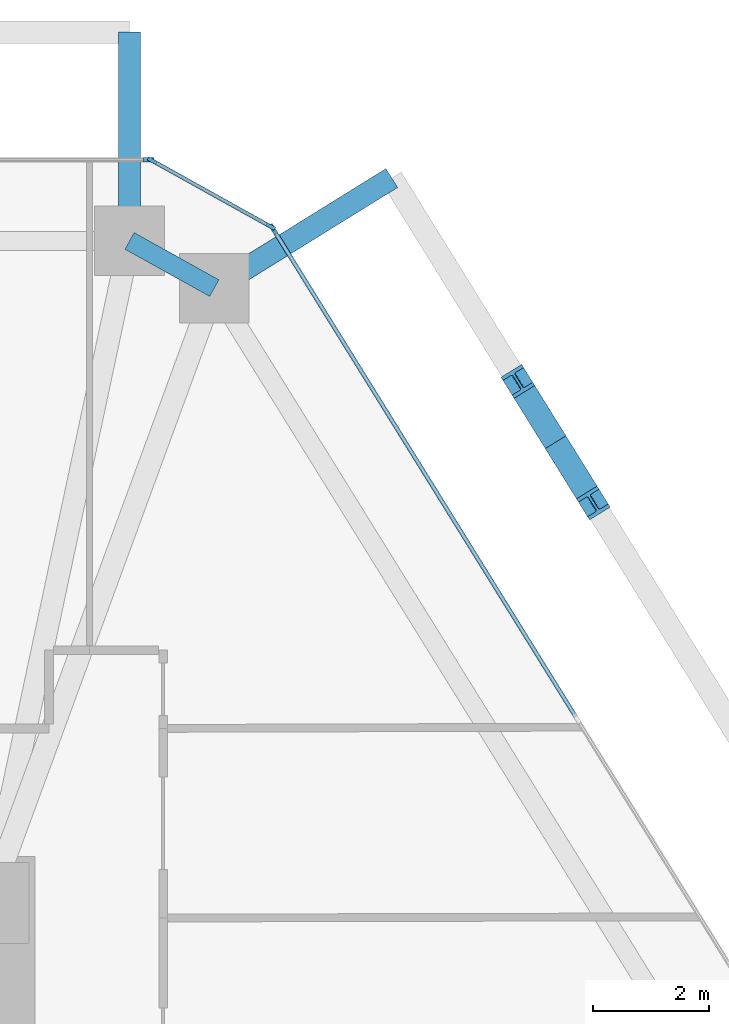
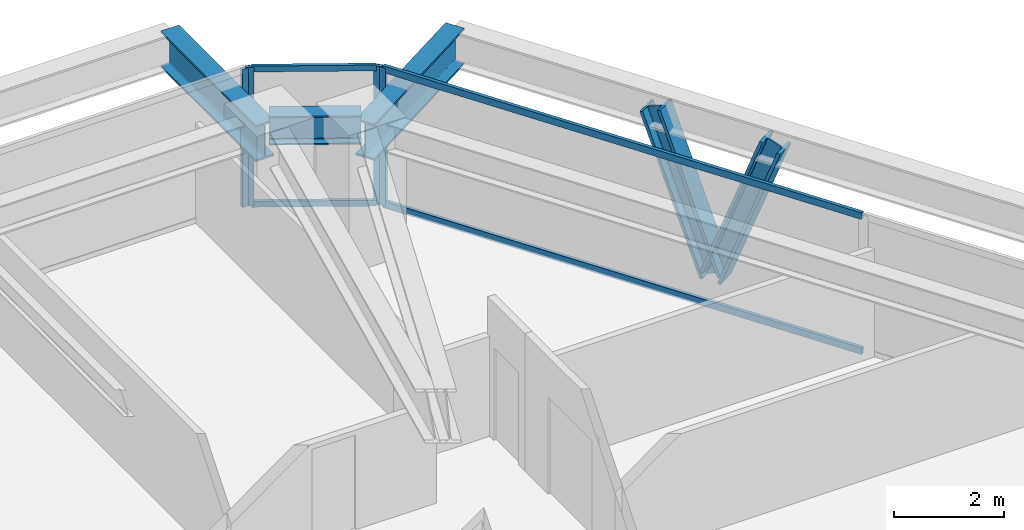
# One storey, part 8 of 14: 10 members, 3 beams, 3 elements without a shape of their own.
"""IFC4 building model written with IfcOpenShell, lengths in metres."""

from ifc_helpers import new_model, si_unit, direction, frame, origin, origin_2d, place, context, subcontext, project, spatial, rectangle, i_section, extrude, source, transform, mapped, material, layer, layer_set, material_profile, profile_set, type_object, type_shapes, element, aggregate, save


model = new_model("IFC4")

# Units and contexts
model_context = context("Model", 3, precision=1e-05, world=origin(), true_north=direction((0.0, 1.0)))
body_context = subcontext(model_context, "Body", "Model", "MODEL_VIEW")
ifc_project = project(units=[si_unit("LENGTHUNIT", "METRE"), si_unit("AREAUNIT", "SQUARE_METRE"), si_unit("VOLUMEUNIT", "CUBIC_METRE"), si_unit("PLANEANGLEUNIT", "RADIAN"), si_unit("MASSUNIT", "GRAM", prefix="KILO")], contexts=[model_context])

# Site, building, storey
site_placement = place(None, origin())
site = spatial("IfcSite", under=ifc_project, at=site_placement, CompositionType="ELEMENT")
building_placement = place(site_placement, origin())
building = spatial("IfcBuilding", under=site, at=building_placement, Name="Durnholm Broadcast Tower", CompositionType="ELEMENT")
storey_placement = place(building_placement, frame((0.0, 0.0, 127.199951171875)))
storey = spatial("IfcBuildingStorey", under=building, at=storey_placement, Name="L34", CompositionType="ELEMENT", Elevation=127.199951171875)

# Beams
ifc_material_1 = material(Name="Steel ASTM A992 Grade 50", Category="steel")
ifc_material_profile_1 = material_profile(ifc_material_1, i_section(OverallWidth=0.385009765625, OverallDepth=0.802978515625, WebThickness=0.023681640625, FlangeThickness=0.0419921875, FilletRadius=0.032958984375, at=origin_2d()), Name="W30X261")
ifc_profile_set_1 = profile_set([ifc_material_profile_1], Name="Steel ASTM A992 Grade 50")
beam_type_1 = type_object("IfcBeamType", Name="BM-EXO-TIE", PredefinedType="USERDEFINED", material=ifc_profile_set_1)
shared_shape_1 = source(origin(), body_context, "Body", "SweptSolid", [
    extrude(i_section(OverallWidth=0.385009765625, OverallDepth=0.802978515625, WebThickness=0.023681640625, FlangeThickness=0.0419921875, FilletRadius=0.032958984375, at=origin_2d()), origin(), (0.0, 0.0, 1.0), 3.4560546875),
])
beam_1_placement = place(storey_placement, frame((12.22998046875, 19.35888671875, 2.30859375), z_axis=(0.0, 1.0, 0.0), x_axis=(-1.0, 0.0, 0.0)))
element("IfcBeam", 1, at=beam_1_placement, inside=storey, type_object=beam_type_1, Name="L34 exoskeleton stand-off tie bracket F4.1", ObjectType="GIRDER", PredefinedType="USERDEFINED", context=body_context, shape_type="MappedRepresentation", body=[
    mapped(shared_shape_1, transform((0.0, 0.0, 0.0), x_axis=(1.0, 0.0, 0.0), y_axis=(0.0, 1.0, 0.0), z_axis=(0.0, 0.0, 1.0), scale=1.0)),
])
shared_shape_2 = source(origin(), body_context, "Body", "SweptSolid", [
    extrude(i_section(OverallWidth=0.385009765625, OverallDepth=0.802978515625, WebThickness=0.023681640625, FlangeThickness=0.0419921875, FilletRadius=0.032958984375, at=origin_2d()), origin(), (0.0, 0.0, 1.0), 3.455810546875),
])
type_shapes(beam_type_1, [shared_shape_1, shared_shape_2])
beam_2_placement = place(storey_placement, frame((13.814697265625, 18.477294921875, 2.30859375), z_axis=(0.849807128357, 0.527093772107, 0.0), x_axis=(-0.527093772107, 0.849807128357, 0.0)))
element("IfcBeam", 2, at=beam_2_placement, inside=storey, type_object=beam_type_1, Name="L34 exoskeleton stand-off tie bracket F3.2", ObjectType="GIRDER", PredefinedType="USERDEFINED", context=body_context, shape_type="MappedRepresentation", body=[
    mapped(shared_shape_2, transform((0.0, 0.0, 0.0), x_axis=(1.0, 0.0, 0.0), y_axis=(0.0, 1.0, 0.0), z_axis=(0.0, 0.0, 1.0), scale=1.0)),
])
ifc_material_profile_2 = material_profile(ifc_material_1, i_section(OverallWidth=0.3291015625, OverallDepth=0.635009765625, WebThickness=0.017822265625, FlangeThickness=0.031005859375, FilletRadius=0.02783203125, at=origin_2d()), Name="W24X162")
ifc_profile_set_2 = profile_set([ifc_material_profile_2], Name="Steel ASTM A992 Grade 50")
beam_type_2 = type_object("IfcBeamType", Name="STL-SP-W24X162", PredefinedType="SPANDREL", material=ifc_profile_set_2)
shared_shape_3 = source(origin(), body_context, "Body", "SweptSolid", [
    extrude(i_section(OverallWidth=0.3291015625, OverallDepth=0.635009765625, WebThickness=0.017822265625, FlangeThickness=0.031005859375, FilletRadius=0.02783203125, at=origin_2d()), origin(), (0.0, 0.0, 1.0), 1.67333984375),
])
type_shapes(beam_type_2, [shared_shape_3])
beam_3_placement = place(storey_placement, frame((12.22998046875, 19.215087890625, 2.7275390625), z_axis=(0.873799169188, -0.486286964586, 0.0), x_axis=(0.486286964586, 0.873799169188, 0.0)))
element("IfcBeam", 3, at=beam_3_placement, inside=storey, type_object=beam_type_2, Name="L34 perimeter spandrel girder 06", PredefinedType="SPANDREL", context=body_context, shape_type="MappedRepresentation", body=[
    mapped(shared_shape_3, transform((0.0, 0.0, 0.0), x_axis=(1.0, 0.0, 0.0), y_axis=(0.0, 1.0, 0.0), z_axis=(0.0, 0.0, 1.0), scale=1.0)),
])

# Members
ifc_material_2 = material(Name="Steel ASTM A913 Grade 65", Category="steel")
ifc_material_profile_3 = material_profile(ifc_material_2, i_section(OverallWidth=0.41845703125, OverallDepth=0.455078125, WebThickness=0.0419921875, FlangeThickness=0.067626953125, FilletRadius=0.030517578125, at=origin_2d()), Name="W14X370")
ifc_profile_set_3 = profile_set([ifc_material_profile_3], Name="Steel ASTM A913 Grade 65")
member_type_1 = type_object("IfcMemberType", Name="STL-DG-W14X370", PredefinedType="BRACE", material=ifc_profile_set_3)
shared_shape_4 = source(origin(), body_context, "Body", "SweptSolid", [
    extrude(i_section(OverallWidth=0.41845703125, OverallDepth=0.455078125, WebThickness=0.0419921875, FlangeThickness=0.067626953125, FilletRadius=0.030517578125, at=origin_2d()), origin(), (0.0, 0.0, 1.0), 3.523193359375),
])
member_1_placement = place(storey_placement, frame((19.576416015625, 15.74462890625, -0.991455078125), z_axis=(-0.184669768468, 0.297619758188, 0.936653381006), x_axis=(-0.849716575602, -0.52723973783, 0.0)))
element("IfcMember", 4, at=member_1_placement, inside=storey, type_object=member_type_1, Name="L34 stand-off diagrid brace F3.D2.2", PredefinedType="BRACE", context=body_context, shape_type="MappedRepresentation", body=[
    mapped(shared_shape_4, transform((0.0, 0.0, 0.0), x_axis=(1.0, 0.0, 0.0), y_axis=(0.0, 1.0, 0.0), z_axis=(0.0, 0.0, 1.0), scale=1.0)),
])
shared_shape_5 = source(origin(), body_context, "Body", "SweptSolid", [
    extrude(i_section(OverallWidth=0.41845703125, OverallDepth=0.455078125, WebThickness=0.0419921875, FlangeThickness=0.067626953125, FilletRadius=0.030517578125, at=origin_2d()), origin(), (0.0, 0.0, 1.0), 3.52294921875),
])
type_shapes(member_type_1, [shared_shape_4, shared_shape_5])
member_2_placement = place(storey_placement, frame((19.576416015625, 15.74462890625, -0.991455078125), z_axis=(0.184539706302, -0.297564212865, 0.936696661689), x_axis=(0.849838868368, 0.527042595823, 0.0)))
element("IfcMember", 5, at=member_2_placement, inside=storey, type_object=member_type_1, Name="L34 stand-off diagrid brace F3.D2.1", PredefinedType="BRACE", context=body_context, shape_type="MappedRepresentation", body=[
    mapped(shared_shape_5, transform((0.0, 0.0, 0.0), x_axis=(1.0, 0.0, 0.0), y_axis=(0.0, 1.0, 0.0), z_axis=(0.0, 0.0, 1.0), scale=1.0)),
])

# Curtain wall, members
ifc_material_3 = material(Name="Aluminium and Solar Control IGU", Category="aluminium")
ifc_layer_1 = layer(ifc_material_3, 0.1650390625)
ifc_layer_set_1 = layer_set([ifc_layer_1], Name="Aluminium and Solar Control IGU")
curtain_wall_type_1 = type_object("IfcCurtainWallType", Name="CW-SYS-5", PredefinedType="NOTDEFINED", material=ifc_layer_set_1)
curtain_wall_1_placement = place(storey_placement, origin())
curtain_wall_1 = element("IfcCurtainWall", 6, at=curtain_wall_1_placement, inside=storey, type_object=curtain_wall_type_1, Name="L34 curtain wall CW-CORNER CW-L34-CRN-05", PredefinedType="NOTDEFINED")
ifc_material_4 = material(Name="Aluminium 6063-T6", Category="aluminium")
ifc_material_profile_4 = material_profile(ifc_material_4, rectangle(XDim=0.06494140625, YDim=0.1650390625, at=origin_2d()), Name="CWM65X165")
ifc_profile_set_4 = profile_set([ifc_material_profile_4], Name="Aluminium 6063-T6")
member_type_2 = type_object("IfcMemberType", Name="CW-SYS-5-MUL", PredefinedType="MULLION", material=ifc_profile_set_4)
shared_shape_6 = source(origin(), body_context, "Body", "SweptSolid", [
    extrude(rectangle(XDim=0.06494140625, YDim=0.1650390625, at=origin_2d()), origin(), (0.0, 0.0, 1.0), 3.06005859375),
])
type_shapes(member_type_2, [shared_shape_6])
member_3_placement = place(storey_placement, frame((12.62158203125, 20.59912109375, 0.0), z_axis=(0.0, 0.0, 1.0), x_axis=(0.486244224192, 0.873822953715, 0.0)))
member_3 = element("IfcMember", 7, at=member_3_placement, type_object=member_type_2, Name="CW-CORNER mullion 1", PredefinedType="MULLION", context=body_context, shape_type="MappedRepresentation", body=[
    mapped(shared_shape_6, transform((0.0, 0.0, 0.0), x_axis=(1.0, 0.0, 0.0), y_axis=(0.0, 1.0, 0.0), z_axis=(0.0, 0.0, 1.0), scale=1.0)),
])
member_4_placement = place(storey_placement, frame((14.662109375, 19.4638671875, 0.0), z_axis=(0.0, 0.0, 1.0), x_axis=(0.486244224192, 0.873822953715, 0.0)))
member_4 = element("IfcMember", 8, at=member_4_placement, type_object=member_type_2, Name="CW-CORNER mullion 2", PredefinedType="MULLION", context=body_context, shape_type="MappedRepresentation", body=[
    mapped(shared_shape_6, transform((0.0, 0.0, 0.0), x_axis=(1.0, 0.0, 0.0), y_axis=(0.0, 1.0, 0.0), z_axis=(0.0, 0.0, 1.0), scale=1.0)),
])

# Curtain wall, member
ifc_layer_2 = layer(ifc_material_3, 0.18994140625)
ifc_layer_set_2 = layer_set([ifc_layer_2], Name="Aluminium and Solar Control IGU")
curtain_wall_type_2 = type_object("IfcCurtainWallType", Name="CW-SYS-3", PredefinedType="NOTDEFINED", material=ifc_layer_set_2)
curtain_wall_2_placement = place(storey_placement, origin())
curtain_wall_2 = element("IfcCurtainWall", 9, at=curtain_wall_2_placement, inside=storey, type_object=curtain_wall_type_2, Name="L34 curtain wall CW-Z12-VIS CW-L34-F04", PredefinedType="NOTDEFINED")
ifc_material_profile_5 = material_profile(ifc_material_4, rectangle(XDim=0.070068359375, YDim=0.18994140625, at=origin_2d()), Name="CWM70X190")
ifc_profile_set_5 = profile_set([ifc_material_profile_5], Name="Aluminium 6063-T6")
member_type_3 = type_object("IfcMemberType", Name="CW-SYS-3-MUL", PredefinedType="MULLION", material=ifc_profile_set_5)
shared_shape_7 = source(origin(), body_context, "Body", "SweptSolid", [
    extrude(rectangle(XDim=0.070068359375, YDim=0.18994140625, at=origin_2d()), origin(), (0.0, 0.0, 1.0), 3.06005859375),
])
type_shapes(member_type_3, [shared_shape_7])
member_5_placement = place(storey_placement, frame((12.55810546875, 20.614990234375, 0.0), z_axis=(0.0, 0.0, 1.0), x_axis=(0.0, 1.0, 0.0)))
member_5 = element("IfcMember", 10, at=member_5_placement, type_object=member_type_3, Name="CW-Z12-VIS mullion 3", PredefinedType="MULLION", context=body_context, shape_type="MappedRepresentation", body=[
    mapped(shared_shape_7, transform((0.0, 0.0, 0.0), x_axis=(1.0, 0.0, 0.0), y_axis=(0.0, 1.0, 0.0), z_axis=(0.0, 0.0, 1.0), scale=1.0)),
])
aggregate(curtain_wall_2, [member_5])

curtain_wall_3_placement = place(storey_placement, origin())
curtain_wall_3 = element("IfcCurtainWall", 11, at=curtain_wall_3_placement, inside=storey, type_object=curtain_wall_type_2, Name="L34 curtain wall CW-Z12-VIS CW-L34-F06", PredefinedType="NOTDEFINED")
member_6_placement = place(storey_placement, frame((14.708740234375, 19.418212890625, 0.0), z_axis=(0.0, 0.0, 1.0), x_axis=(0.849799925229, 0.527105385176, 0.0)))
member_6 = element("IfcMember", 12, at=member_6_placement, type_object=member_type_3, Name="CW-Z12-VIS mullion 1", PredefinedType="MULLION", context=body_context, shape_type="MappedRepresentation", body=[
    mapped(shared_shape_7, transform((0.0, 0.0, 0.0), x_axis=(1.0, 0.0, 0.0), y_axis=(0.0, 1.0, 0.0), z_axis=(0.0, 0.0, 1.0), scale=1.0)),
])

# Member
ifc_material_profile_6 = material_profile(ifc_material_4, rectangle(XDim=0.06494140625, YDim=0.1298828125, at=origin_2d()), Name="CWT65X130")
ifc_profile_set_6 = profile_set([ifc_material_profile_6], Name="Aluminium 6063-T6")
member_type_4 = type_object("IfcMemberType", Name="CW-SYS-5-TRN", PredefinedType="USERDEFINED", material=ifc_profile_set_6)
shared_shape_8 = source(origin(), body_context, "Body", "SweptSolid", [
    extrude(rectangle(XDim=0.06494140625, YDim=0.1298828125, at=origin_2d()), origin(), (0.0, 0.0, 1.0), 2.270263671875),
])
type_shapes(member_type_4, [shared_shape_8])
member_7_placement = place(storey_placement, frame((12.64990234375, 20.58349609375, 0.032470703125), z_axis=(0.873786708897, -0.486309353555, 0.0), x_axis=(0.486309353555, 0.873786708897, 0.0)))
member_7 = element("IfcMember", 13, at=member_7_placement, type_object=member_type_4, Name="CW-CORNER transom 1.1", ObjectType="TRANSOM", PredefinedType="USERDEFINED", context=body_context, shape_type="MappedRepresentation", body=[
    mapped(shared_shape_8, transform((0.0, 0.0, 0.0), x_axis=(1.0, 0.0, 0.0), y_axis=(0.0, 1.0, 0.0), z_axis=(0.0, 0.0, 1.0), scale=1.0)),
])

member_8_placement = place(storey_placement, frame((12.64990234375, 20.58349609375, 3.027587890625), z_axis=(0.873786708897, -0.486309353555, 0.0), x_axis=(0.486309353555, 0.873786708897, 0.0)))
member_8 = element("IfcMember", 14, at=member_8_placement, type_object=member_type_4, Name="CW-CORNER transom 1.2", ObjectType="TRANSOM", PredefinedType="USERDEFINED", context=body_context, shape_type="MappedRepresentation", body=[
    mapped(shared_shape_8, transform((0.0, 0.0, 0.0), x_axis=(1.0, 0.0, 0.0), y_axis=(0.0, 1.0, 0.0), z_axis=(0.0, 0.0, 1.0), scale=1.0)),
])

aggregate(curtain_wall_1, [member_3, member_4, member_7, member_8])

ifc_material_profile_7 = material_profile(ifc_material_4, rectangle(XDim=0.070068359375, YDim=0.14990234375, at=origin_2d()), Name="CWT70X150")
ifc_profile_set_7 = profile_set([ifc_material_profile_7], Name="Aluminium 6063-T6")
member_type_5 = type_object("IfcMemberType", Name="CW-SYS-3-TRN", PredefinedType="USERDEFINED", material=ifc_profile_set_7)
shared_shape_9 = source(origin(), body_context, "Body", "SweptSolid", [
    extrude(rectangle(XDim=0.070068359375, YDim=0.14990234375, at=origin_2d()), origin(), (0.0, 0.0, 1.0), 9.858642578125),
])
type_shapes(member_type_5, [shared_shape_9])
member_9_placement = place(storey_placement, frame((14.727294921875, 19.388427734375, 0.03515625), z_axis=(0.527102081419, -0.849801974441, 0.0), x_axis=(0.849801974441, 0.527102081419, 0.0)))
member_9 = element("IfcMember", 15, at=member_9_placement, type_object=member_type_5, Name="CW-Z12-VIS transom 1.1", ObjectType="TRANSOM", PredefinedType="USERDEFINED", context=body_context, shape_type="MappedRepresentation", body=[
    mapped(shared_shape_9, transform((0.0, 0.0, 0.0), x_axis=(1.0, 0.0, 0.0), y_axis=(0.0, 1.0, 0.0), z_axis=(0.0, 0.0, 1.0), scale=1.0)),
])

member_10_placement = place(storey_placement, frame((14.727294921875, 19.388427734375, 3.025146484375), z_axis=(0.527102081419, -0.849801974441, 0.0), x_axis=(0.849801974441, 0.527102081419, 0.0)))
member_10 = element("IfcMember", 16, at=member_10_placement, type_object=member_type_5, Name="CW-Z12-VIS transom 1.2", ObjectType="TRANSOM", PredefinedType="USERDEFINED", context=body_context, shape_type="MappedRepresentation", body=[
    mapped(shared_shape_9, transform((0.0, 0.0, 0.0), x_axis=(1.0, 0.0, 0.0), y_axis=(0.0, 1.0, 0.0), z_axis=(0.0, 0.0, 1.0), scale=1.0)),
])

aggregate(curtain_wall_3, [member_6, member_9, member_10])

save(model, "model.ifc")
